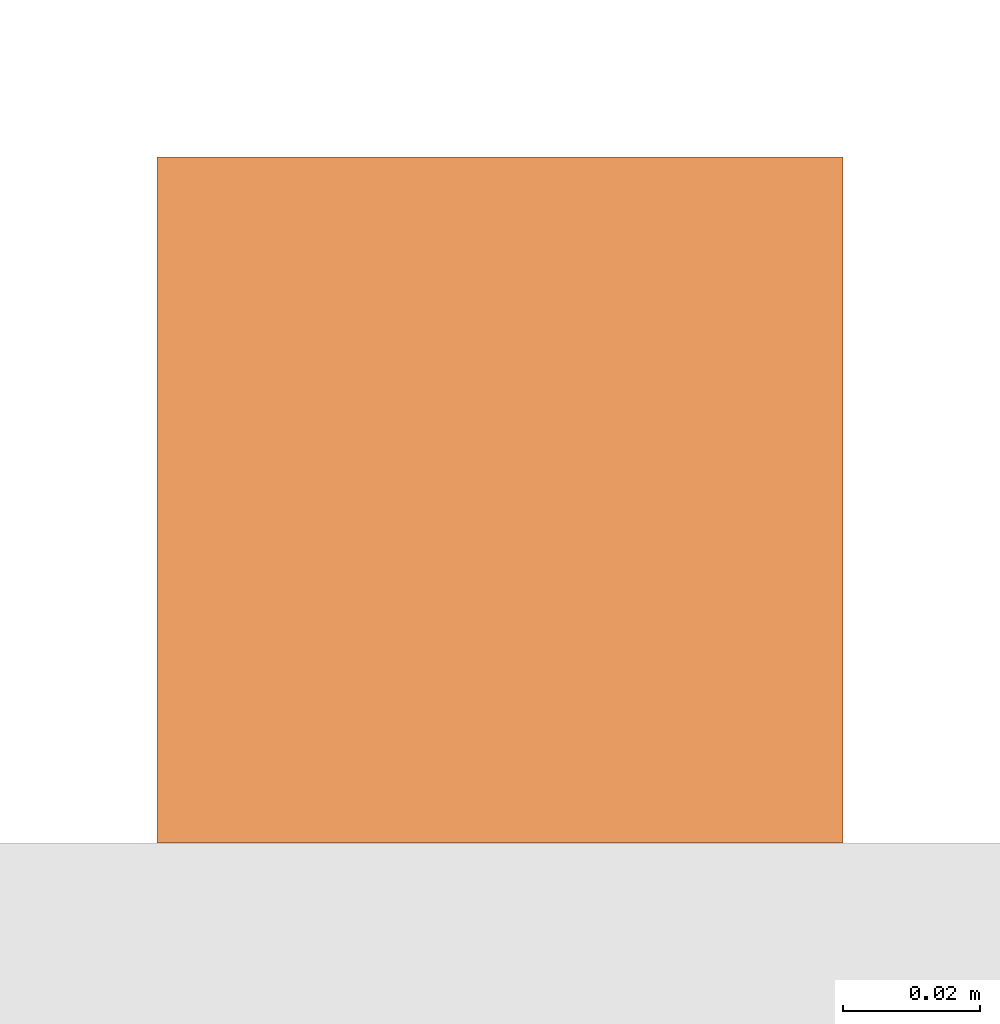
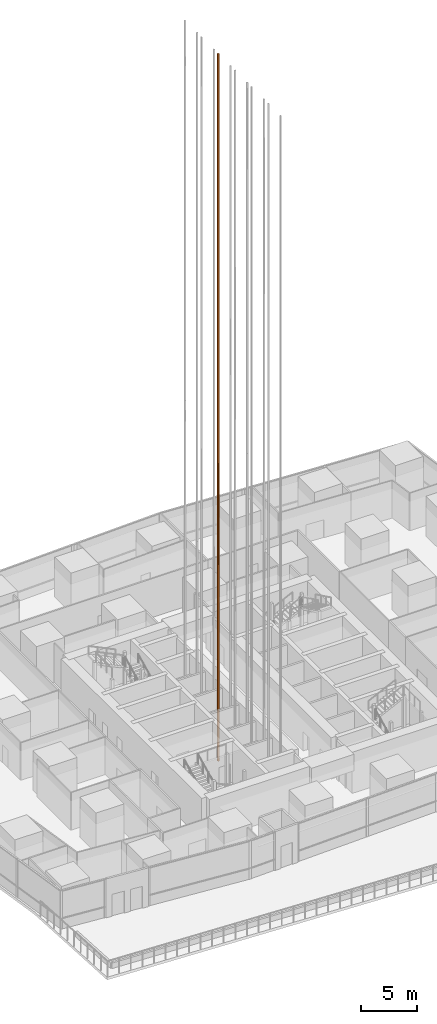
# One storey, part 40 of 44: 1 proxy.
"""IFC4 building model written with IfcOpenShell, lengths in metres."""

from ifc_helpers import new_model, si_unit, direction, frame, origin, origin_2d, place, context, subcontext, project, spatial, rectangle, extrude, material, type_object, element, save


model = new_model("IFC4")

# Units and contexts
model_context = context("Model", 3, precision=1e-05, world=origin(), true_north=direction((0.0, 1.0)))
body_context = subcontext(model_context, "Body", "Model", "MODEL_VIEW")
ifc_project = project(units=[si_unit("LENGTHUNIT", "METRE"), si_unit("AREAUNIT", "SQUARE_METRE"), si_unit("VOLUMEUNIT", "CUBIC_METRE"), si_unit("PLANEANGLEUNIT", "RADIAN"), si_unit("MASSUNIT", "GRAM", prefix="KILO")], contexts=[model_context])

# Site, building, storey
site_placement = place(None, origin())
site = spatial("IfcSite", under=ifc_project, at=site_placement, CompositionType="ELEMENT")
building_placement = place(site_placement, origin())
building = spatial("IfcBuilding", under=site, at=building_placement, Name="Rekha Terrace Tower", CompositionType="ELEMENT")
storey_placement = place(building_placement, frame((0.0, 0.0, 90.800048828125)))
storey = spatial("IfcBuildingStorey", under=building, at=storey_placement, Name="L22", CompositionType="ELEMENT", Elevation=90.800048828125)

# Proxy
ifc_material = material(Name="Steel guide rail", Category="steel")
building_element_proxy_type = type_object("IfcBuildingElementProxyType", Name="LR1 100 lift guide rail", PredefinedType="ELEMENT", material=ifc_material)
proxy_placement = place(storey_placement, frame((34.5, 35.0, -3.300048828125), z_axis=(0.0, 0.0, 1.0), x_axis=(1.0, 0.0, 0.0)))
element("IfcBuildingElementProxy", 1, at=proxy_placement, inside=storey, type_object=building_element_proxy_type, Name="Lift B4 guide rail 2", PredefinedType="ELEMENT", context=body_context, shape_type="SweptSolid", body=[
    extrude(rectangle(XDim=0.10009765625, YDim=0.10009765625, at=origin_2d()), origin(), (0.0, 0.0, 1.0), 77.39990234375),
])

save(model, "model.ifc")
